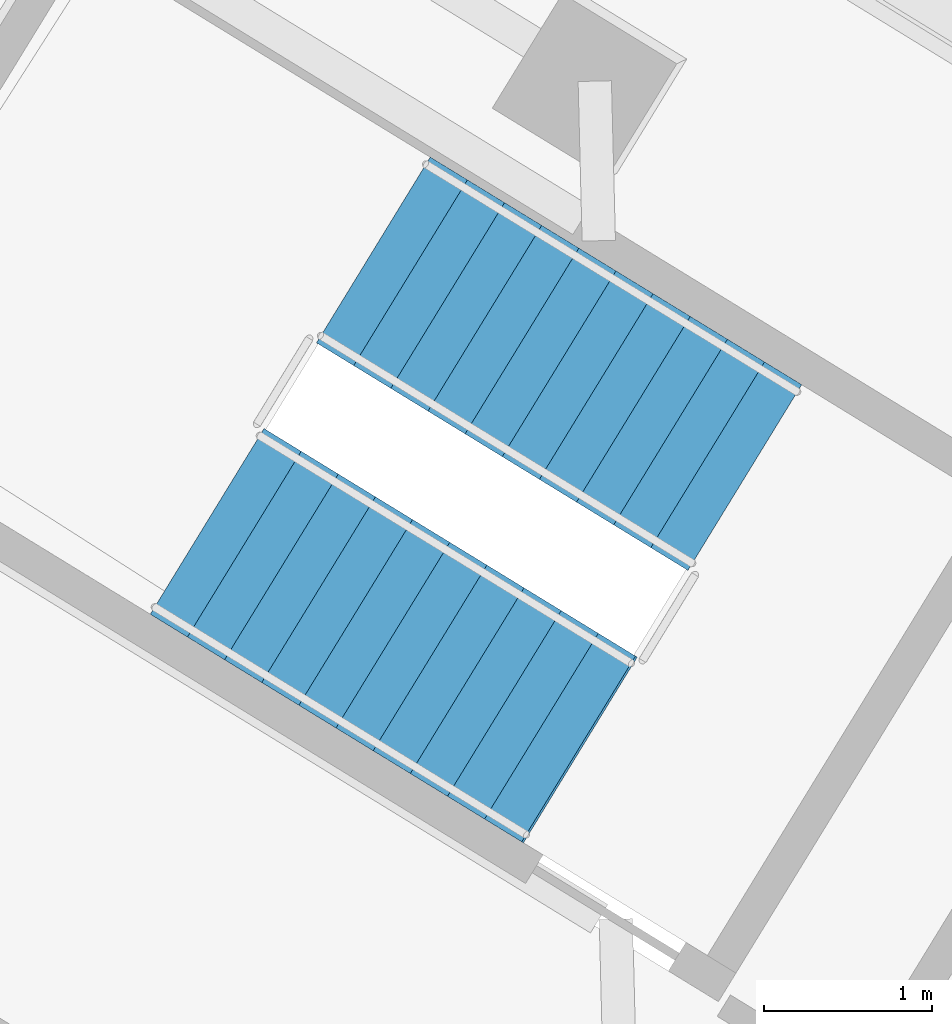
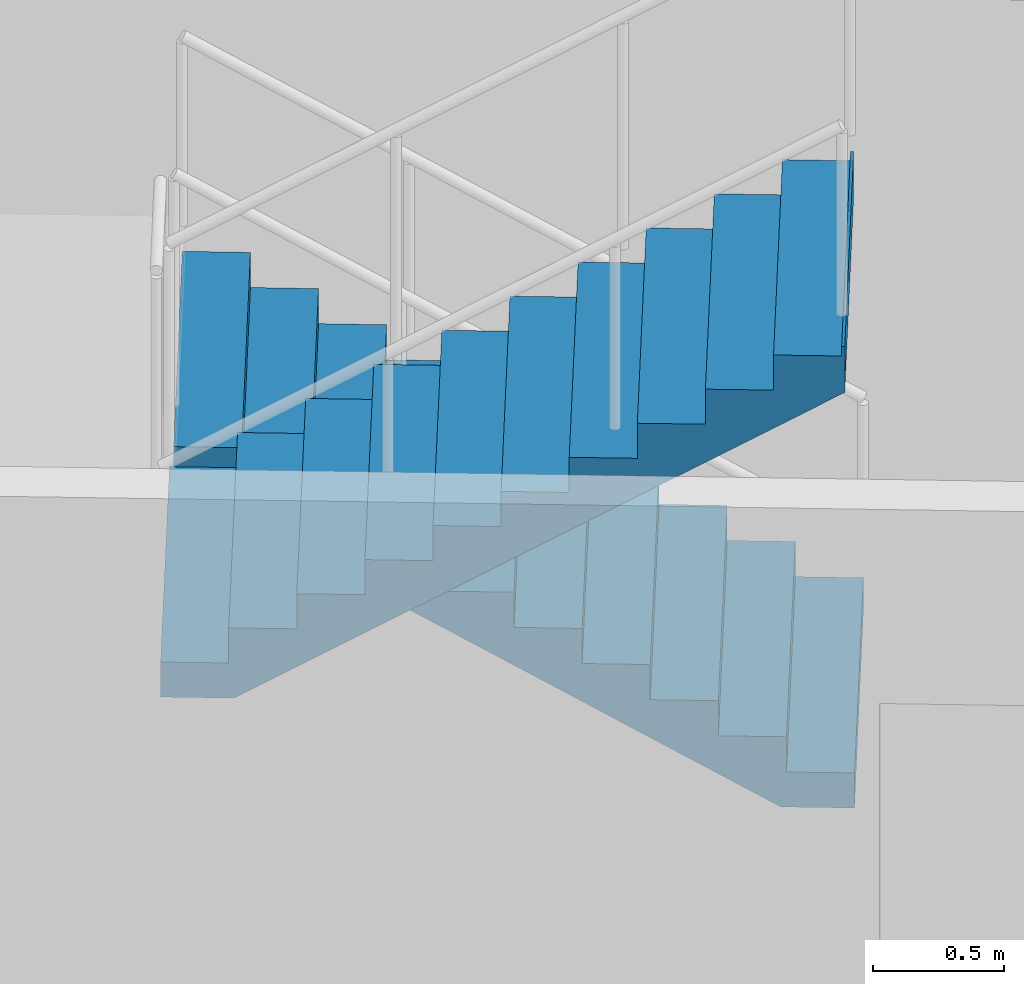
# One storey, part 21 of 27: 2 stair flights, 1 element without a shape of its own.
"""IFC4 building model written with IfcOpenShell, lengths in metres."""

from ifc_helpers import new_model, si_unit, direction, frame, origin, place, context, subcontext, project, spatial, polyline, outline, extrude, material, type_object, element, aggregate, save


model = new_model("IFC4")

# Units and contexts
model_context = context("Model", 3, precision=1e-05, world=origin(), true_north=direction((0.0, 1.0)))
body_context = subcontext(model_context, "Body", "Model", "MODEL_VIEW")
ifc_project = project(units=[si_unit("LENGTHUNIT", "METRE"), si_unit("AREAUNIT", "SQUARE_METRE"), si_unit("VOLUMEUNIT", "CUBIC_METRE"), si_unit("PLANEANGLEUNIT", "RADIAN"), si_unit("MASSUNIT", "GRAM", prefix="KILO")], contexts=[model_context])

# Site, building, storey
site_placement = place(None, origin())
site = spatial("IfcSite", under=ifc_project, at=site_placement, CompositionType="ELEMENT")
building_placement = place(site_placement, origin())
building = spatial("IfcBuilding", under=site, at=building_placement, Name="Tamarind Cross Interchange Tower", CompositionType="ELEMENT")
storey_placement = place(building_placement, frame((0.0, 0.0, 245.10009765625)))
storey = spatial("IfcBuildingStorey", under=building, at=storey_placement, Name="L62", CompositionType="ELEMENT", Elevation=245.10009765625)

# Stair, stair flights
ifc_material_1 = material(Name="Exit stair")
stair_type = type_object("IfcStairType", Name="Exit stair", PredefinedType="HALF_TURN_STAIR", material=ifc_material_1)
stair_placement = place(storey_placement, origin())
stair = element("IfcStair", 1, at=stair_placement, inside=storey, type_object=stair_type, Name="L62 exit stair ST4", PredefinedType="HALF_TURN_STAIR")
ifc_material_2 = material(Name="Exit stair flight")
stair_flight_type = type_object("IfcStairFlightType", Name="Exit stair flight", PredefinedType="STRAIGHT", material=ifc_material_2)
stair_flight_1_placement = place(storey_placement, frame((-3.308837890625, 28.6591796875, 0.0), z_axis=(0.0, 0.0, 1.0), x_axis=(-0.852720404316, 0.522367602426, 0.0)))
stair_flight_1 = element("IfcStairFlight", 2, at=stair_flight_1_placement, type_object=stair_flight_type, Name="ST4 flight 1", NumberOfRisers=11, NumberOfTreads=10, PredefinedType="STRAIGHT", RiserHeight=0.163636364, TreadLength=0.26, context=body_context, shape_type="SweptSolid", body=[
    extrude(outline(polyline([(0.0, 0.0), (0.0, 0.16357421875), (0.260009765625, 0.16357421875), (0.260009765625, 0.327392578125), (0.52001953125, 0.327392578125), (0.52001953125, 0.490966796875), (0.780029296875, 0.490966796875), (0.780029296875, 0.654541015625), (1.0400390625, 0.654541015625), (1.0400390625, 0.818115234375), (1.300048828125, 0.818115234375), (1.300048828125, 0.98193359375), (1.56005859375, 0.98193359375), (1.56005859375, 1.1455078125), (1.820068359375, 1.1455078125), (1.820068359375, 1.30908203125), (2.080078125, 1.30908203125), (2.080078125, 1.47265625), (2.340087890625, 1.47265625), (2.340087890625, 1.636474609375), (2.60009765625, 1.636474609375), (2.60009765625, 1.800048828125), (2.60009765625, 1.459228515625), (0.281494140625, 0.0), (0.0, 0.0)])), frame((0.0, 0.64990234375, 0.0), z_axis=(0.0, -1.0, 0.0), x_axis=(1.0, 0.0, 0.0)), (0.0, 0.0, 1.0), 1.300048828125),
])
stair_flight_2_placement = place(storey_placement, frame((-6.518310546875, 28.397216796875, 1.7998046875), z_axis=(0.0, 0.0, 1.0), x_axis=(0.852720404316, -0.522367602426, 0.0)))
stair_flight_2 = element("IfcStairFlight", 3, at=stair_flight_2_placement, type_object=stair_flight_type, Name="ST4 flight 2", NumberOfRisers=11, NumberOfTreads=10, PredefinedType="STRAIGHT", RiserHeight=0.163636364, TreadLength=0.26, context=body_context, shape_type="SweptSolid", body=[
    extrude(outline(polyline([(0.0, 0.0), (0.0, 0.16357421875), (0.260009765625, 0.16357421875), (0.260009765625, 0.327392578125), (0.52001953125, 0.327392578125), (0.52001953125, 0.490966796875), (0.780029296875, 0.490966796875), (0.780029296875, 0.654541015625), (1.0400390625, 0.654541015625), (1.0400390625, 0.818115234375), (1.300048828125, 0.818115234375), (1.300048828125, 0.98193359375), (1.56005859375, 0.98193359375), (1.56005859375, 1.1455078125), (1.820068359375, 1.1455078125), (1.820068359375, 1.30908203125), (2.080078125, 1.30908203125), (2.080078125, 1.47265625), (2.340087890625, 1.47265625), (2.340087890625, 1.636474609375), (2.60009765625, 1.636474609375), (2.60009765625, 1.679931640625), (2.612060546875, 1.679931640625), (2.612060546875, 1.466796875), (0.281494140625, 0.0), (0.0, 0.0)])), frame((0.0, 0.64990234375, 0.0), z_axis=(0.0, -1.0, 0.0), x_axis=(1.0, 0.0, 0.0)), (0.0, 0.0, 1.0), 1.300048828125),
])
aggregate(stair, [stair_flight_1, stair_flight_2])

save(model, "model.ifc")
